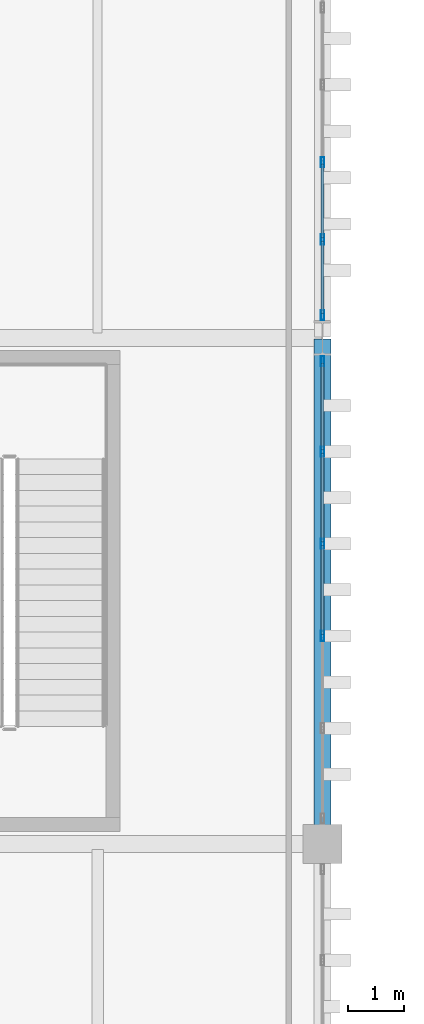
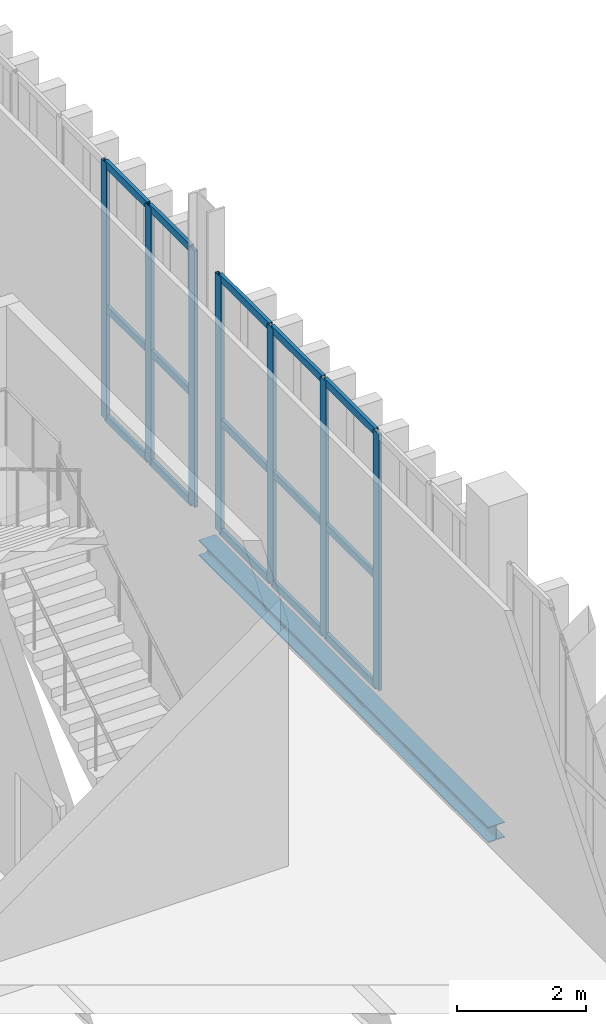
# One storey, part 162 of 237: 22 members, 1 beam, 2 elements without a shape of their own.
"""IFC4 building model written with IfcOpenShell, lengths in metres."""

from ifc_helpers import new_model, si_unit, direction, frame, origin, origin_2d, place, context, subcontext, project, spatial, hollow_rectangle, i_section, extrude, material, layer, layer_set, material_profile, profile_set, type_object, element, aggregate, save


model = new_model("IFC4")

# Units and contexts
model_context = context("Model", 3, precision=1e-05, world=origin(), true_north=direction((0.0, 1.0)))
body_context = subcontext(model_context, "Body", "Model", "MODEL_VIEW")
ifc_project = project(units=[si_unit("LENGTHUNIT", "METRE"), si_unit("AREAUNIT", "SQUARE_METRE"), si_unit("VOLUMEUNIT", "CUBIC_METRE"), si_unit("PLANEANGLEUNIT", "RADIAN"), si_unit("MASSUNIT", "GRAM", prefix="KILO")], contexts=[model_context])

# Site, building, storey
site_placement = place(None, origin())
site = spatial("IfcSite", under=ifc_project, at=site_placement, CompositionType="ELEMENT")
building_placement = place(site_placement, origin())
building = spatial("IfcBuilding", under=site, at=building_placement, Name="Barlavento Convention Centre", CompositionType="ELEMENT")
storey_placement = place(building_placement, frame((0.0, 0.0, 12.0)))
storey = spatial("IfcBuildingStorey", under=building, at=storey_placement, Name="L02", CompositionType="ELEMENT", Elevation=12.0)

# Curtain wall, members
ifc_material_1 = material(Name="Powder-coated aluminium and Low-E glass", Category="aluminium")
ifc_layer = layer(ifc_material_1, 0.195068359375)
ifc_layer_set = layer_set([ifc_layer], Name="ARC-CW-BALL-L02")
curtain_wall_type = type_object("IfcCurtainWallType", Name="ARC-CW-BALL-L02", PredefinedType="NOTDEFINED", material=ifc_layer_set)
curtain_wall_1_placement = place(storey_placement, origin())
curtain_wall_1 = element("IfcCurtainWall", 1, at=curtain_wall_1_placement, inside=storey, type_object=curtain_wall_type, Name="L02 unitised curtain wall CW07", PredefinedType="NOTDEFINED")
ifc_material_2 = material(Name="Powder-coated aluminium", Category="aluminium")
ifc_material_profile_1 = material_profile(ifc_material_2, hollow_rectangle(XDim=0.06005859375, YDim=0.179931640625, WallThickness=0.0048828125, at=origin_2d()), Name="AL-MULL 60x180x5")
ifc_profile_set_1 = profile_set([ifc_material_profile_1], Name="Powder-coated aluminium")
member_type_1 = type_object("IfcMemberType", Name="ARC-CWM-60X180", PredefinedType="MULLION", material=ifc_profile_set_1)
member_1_placement = place(storey_placement, frame((192.0, 75.699951171875, 0.0), z_axis=(0.0, 0.0, 1.0), x_axis=(-1.0, 0.0, 0.0)))
member_1 = element("IfcMember", 2, at=member_1_placement, type_object=member_type_1, Name="CW07 mullion 3", PredefinedType="MULLION", context=body_context, shape_type="SweptSolid", body=[
    extrude(hollow_rectangle(XDim=0.06005859375, YDim=0.179931640625, WallThickness=0.0048828125, at=origin_2d()), origin(), (0.0, 0.0, 1.0), 4.85009765625),
])
member_2_placement = place(storey_placement, frame((192.0, 77.340087890625, 0.0), z_axis=(0.0, 0.0, 1.0), x_axis=(-1.0, 0.0, 0.0)))
member_2 = element("IfcMember", 3, at=member_2_placement, type_object=member_type_1, Name="CW07 mullion 4", PredefinedType="MULLION", context=body_context, shape_type="SweptSolid", body=[
    extrude(hollow_rectangle(XDim=0.06005859375, YDim=0.179931640625, WallThickness=0.0048828125, at=origin_2d()), origin(), (0.0, 0.0, 1.0), 4.85009765625),
])
member_3_placement = place(storey_placement, frame((192.0, 78.97998046875, 0.0), z_axis=(0.0, 0.0, 1.0), x_axis=(-1.0, 0.0, 0.0)))
member_3 = element("IfcMember", 4, at=member_3_placement, type_object=member_type_1, Name="CW07 mullion 5", PredefinedType="MULLION", context=body_context, shape_type="SweptSolid", body=[
    extrude(hollow_rectangle(XDim=0.06005859375, YDim=0.179931640625, WallThickness=0.0048828125, at=origin_2d()), origin(), (0.0, 0.0, 1.0), 4.85009765625),
])
member_4_placement = place(storey_placement, frame((192.0, 80.590087890625, 0.0), z_axis=(0.0, 0.0, 1.0), x_axis=(-1.0, 0.0, 0.0)))
member_4 = element("IfcMember", 5, at=member_4_placement, type_object=member_type_1, Name="CW07 mullion 6", PredefinedType="MULLION", context=body_context, shape_type="SweptSolid", body=[
    extrude(hollow_rectangle(XDim=0.06005859375, YDim=0.179931640625, WallThickness=0.0048828125, at=origin_2d()), origin(), (0.0, 0.0, 1.0), 4.85009765625),
])

curtain_wall_2_placement = place(storey_placement, origin())
curtain_wall_2 = element("IfcCurtainWall", 6, at=curtain_wall_2_placement, inside=storey, type_object=curtain_wall_type, Name="L02 unitised curtain wall CW07", PredefinedType="NOTDEFINED")
member_5_placement = place(storey_placement, frame((192.0, 81.409912109375, 0.0), z_axis=(0.0, 0.0, 1.0), x_axis=(-1.0, 0.0, 0.0)))
member_5 = element("IfcMember", 7, at=member_5_placement, type_object=member_type_1, Name="CW07 mullion 1", PredefinedType="MULLION", context=body_context, shape_type="SweptSolid", body=[
    extrude(hollow_rectangle(XDim=0.06005859375, YDim=0.179931640625, WallThickness=0.0048828125, at=origin_2d()), origin(), (0.0, 0.0, 1.0), 4.85009765625),
])
member_6_placement = place(storey_placement, frame((192.0, 82.7548828125, 0.0), z_axis=(0.0, 0.0, 1.0), x_axis=(-1.0, 0.0, 0.0)))
member_6 = element("IfcMember", 8, at=member_6_placement, type_object=member_type_1, Name="CW07 mullion 2", PredefinedType="MULLION", context=body_context, shape_type="SweptSolid", body=[
    extrude(hollow_rectangle(XDim=0.06005859375, YDim=0.179931640625, WallThickness=0.0048828125, at=origin_2d()), origin(), (0.0, 0.0, 1.0), 4.85009765625),
])
member_7_placement = place(storey_placement, frame((192.0, 84.1298828125, 0.0), z_axis=(0.0, 0.0, 1.0), x_axis=(-1.0, 0.0, 0.0)))
member_7 = element("IfcMember", 9, at=member_7_placement, type_object=member_type_1, Name="CW07 mullion 3", PredefinedType="MULLION", context=body_context, shape_type="SweptSolid", body=[
    extrude(hollow_rectangle(XDim=0.06005859375, YDim=0.179931640625, WallThickness=0.0048828125, at=origin_2d()), origin(), (0.0, 0.0, 1.0), 4.85009765625),
])

# Member
ifc_material_profile_2 = material_profile(ifc_material_2, hollow_rectangle(XDim=0.06005859375, YDim=0.139892578125, WallThickness=0.00390625, at=origin_2d()), Name="AL-TRAN 60x140x4")
ifc_profile_set_2 = profile_set([ifc_material_profile_2], Name="Powder-coated aluminium")
member_type_2 = type_object("IfcMemberType", Name="ARC-CWT-60X140", PredefinedType="USERDEFINED", material=ifc_profile_set_2)
member_8_placement = place(storey_placement, frame((192.0, 75.72998046875, 0.030029296875), z_axis=(0.0, 1.0, 0.0), x_axis=(-1.0, 0.0, 0.0)))
member_8 = element("IfcMember", 10, at=member_8_placement, type_object=member_type_2, Name="CW07 transom 3.1", ObjectType="TRANSOM", PredefinedType="USERDEFINED", context=body_context, shape_type="SweptSolid", body=[
    extrude(hollow_rectangle(XDim=0.06005859375, YDim=0.139892578125, WallThickness=0.00390625, at=origin_2d()), origin(), (0.0, 0.0, 1.0), 1.580078125),
])

member_9_placement = place(storey_placement, frame((192.0, 75.72998046875, 2.10009765625), z_axis=(0.0, 1.0, 0.0), x_axis=(-1.0, 0.0, 0.0)))
member_9 = element("IfcMember", 11, at=member_9_placement, type_object=member_type_2, Name="CW07 transom 3.2", ObjectType="TRANSOM", PredefinedType="USERDEFINED", context=body_context, shape_type="SweptSolid", body=[
    extrude(hollow_rectangle(XDim=0.06005859375, YDim=0.139892578125, WallThickness=0.00390625, at=origin_2d()), origin(), (0.0, 0.0, 1.0), 1.580078125),
])

member_10_placement = place(storey_placement, frame((192.0, 75.72998046875, 4.820068359375), z_axis=(0.0, 1.0, 0.0), x_axis=(-1.0, 0.0, 0.0)))
member_10 = element("IfcMember", 12, at=member_10_placement, type_object=member_type_2, Name="CW07 transom 3.3", ObjectType="TRANSOM", PredefinedType="USERDEFINED", context=body_context, shape_type="SweptSolid", body=[
    extrude(hollow_rectangle(XDim=0.06005859375, YDim=0.139892578125, WallThickness=0.00390625, at=origin_2d()), origin(), (0.0, 0.0, 1.0), 1.580078125),
])

member_11_placement = place(storey_placement, frame((192.0, 77.3701171875, 0.030029296875), z_axis=(0.0, 1.0, 0.0), x_axis=(-1.0, 0.0, 0.0)))
member_11 = element("IfcMember", 13, at=member_11_placement, type_object=member_type_2, Name="CW07 transom 4.1", ObjectType="TRANSOM", PredefinedType="USERDEFINED", context=body_context, shape_type="SweptSolid", body=[
    extrude(hollow_rectangle(XDim=0.06005859375, YDim=0.139892578125, WallThickness=0.00390625, at=origin_2d()), origin(), (0.0, 0.0, 1.0), 1.579833984375),
])

member_12_placement = place(storey_placement, frame((192.0, 77.3701171875, 2.10009765625), z_axis=(0.0, 1.0, 0.0), x_axis=(-1.0, 0.0, 0.0)))
member_12 = element("IfcMember", 14, at=member_12_placement, type_object=member_type_2, Name="CW07 transom 4.2", ObjectType="TRANSOM", PredefinedType="USERDEFINED", context=body_context, shape_type="SweptSolid", body=[
    extrude(hollow_rectangle(XDim=0.06005859375, YDim=0.139892578125, WallThickness=0.00390625, at=origin_2d()), origin(), (0.0, 0.0, 1.0), 1.579833984375),
])

member_13_placement = place(storey_placement, frame((192.0, 77.3701171875, 4.820068359375), z_axis=(0.0, 1.0, 0.0), x_axis=(-1.0, 0.0, 0.0)))
member_13 = element("IfcMember", 15, at=member_13_placement, type_object=member_type_2, Name="CW07 transom 4.3", ObjectType="TRANSOM", PredefinedType="USERDEFINED", context=body_context, shape_type="SweptSolid", body=[
    extrude(hollow_rectangle(XDim=0.06005859375, YDim=0.139892578125, WallThickness=0.00390625, at=origin_2d()), origin(), (0.0, 0.0, 1.0), 1.579833984375),
])

member_14_placement = place(storey_placement, frame((192.0, 79.010009765625, 0.030029296875), z_axis=(0.0, 1.0, 0.0), x_axis=(-1.0, 0.0, 0.0)))
member_14 = element("IfcMember", 16, at=member_14_placement, type_object=member_type_2, Name="CW07 transom 5.1", ObjectType="TRANSOM", PredefinedType="USERDEFINED", context=body_context, shape_type="SweptSolid", body=[
    extrude(hollow_rectangle(XDim=0.06005859375, YDim=0.139892578125, WallThickness=0.00390625, at=origin_2d()), origin(), (0.0, 0.0, 1.0), 1.550048828125),
])

member_15_placement = place(storey_placement, frame((192.0, 79.010009765625, 2.10009765625), z_axis=(0.0, 1.0, 0.0), x_axis=(-1.0, 0.0, 0.0)))
member_15 = element("IfcMember", 17, at=member_15_placement, type_object=member_type_2, Name="CW07 transom 5.2", ObjectType="TRANSOM", PredefinedType="USERDEFINED", context=body_context, shape_type="SweptSolid", body=[
    extrude(hollow_rectangle(XDim=0.06005859375, YDim=0.139892578125, WallThickness=0.00390625, at=origin_2d()), origin(), (0.0, 0.0, 1.0), 1.550048828125),
])

member_16_placement = place(storey_placement, frame((192.0, 79.010009765625, 4.820068359375), z_axis=(0.0, 1.0, 0.0), x_axis=(-1.0, 0.0, 0.0)))
member_16 = element("IfcMember", 18, at=member_16_placement, type_object=member_type_2, Name="CW07 transom 5.3", ObjectType="TRANSOM", PredefinedType="USERDEFINED", context=body_context, shape_type="SweptSolid", body=[
    extrude(hollow_rectangle(XDim=0.06005859375, YDim=0.139892578125, WallThickness=0.00390625, at=origin_2d()), origin(), (0.0, 0.0, 1.0), 1.550048828125),
])

aggregate(curtain_wall_1, [member_1, member_2, member_3, member_4, member_8, member_9, member_10, member_11, member_12, member_13, member_14, member_15, member_16])

member_17_placement = place(storey_placement, frame((192.0, 81.43994140625, 0.030029296875), z_axis=(0.0, 1.0, 0.0), x_axis=(-1.0, 0.0, 0.0)))
member_17 = element("IfcMember", 19, at=member_17_placement, type_object=member_type_2, Name="CW07 transom 1.1", ObjectType="TRANSOM", PredefinedType="USERDEFINED", context=body_context, shape_type="SweptSolid", body=[
    extrude(hollow_rectangle(XDim=0.06005859375, YDim=0.139892578125, WallThickness=0.00390625, at=origin_2d()), origin(), (0.0, 0.0, 1.0), 1.28515625),
])

member_18_placement = place(storey_placement, frame((192.0, 81.43994140625, 2.10009765625), z_axis=(0.0, 1.0, 0.0), x_axis=(-1.0, 0.0, 0.0)))
member_18 = element("IfcMember", 20, at=member_18_placement, type_object=member_type_2, Name="CW07 transom 1.2", ObjectType="TRANSOM", PredefinedType="USERDEFINED", context=body_context, shape_type="SweptSolid", body=[
    extrude(hollow_rectangle(XDim=0.06005859375, YDim=0.139892578125, WallThickness=0.00390625, at=origin_2d()), origin(), (0.0, 0.0, 1.0), 1.28515625),
])

member_19_placement = place(storey_placement, frame((192.0, 81.43994140625, 4.820068359375), z_axis=(0.0, 1.0, 0.0), x_axis=(-1.0, 0.0, 0.0)))
member_19 = element("IfcMember", 21, at=member_19_placement, type_object=member_type_2, Name="CW07 transom 1.3", ObjectType="TRANSOM", PredefinedType="USERDEFINED", context=body_context, shape_type="SweptSolid", body=[
    extrude(hollow_rectangle(XDim=0.06005859375, YDim=0.139892578125, WallThickness=0.00390625, at=origin_2d()), origin(), (0.0, 0.0, 1.0), 1.28515625),
])

member_20_placement = place(storey_placement, frame((192.0, 82.784912109375, 0.030029296875), z_axis=(0.0, 1.0, 0.0), x_axis=(-1.0, 0.0, 0.0)))
member_20 = element("IfcMember", 22, at=member_20_placement, type_object=member_type_2, Name="CW07 transom 2.1", ObjectType="TRANSOM", PredefinedType="USERDEFINED", context=body_context, shape_type="SweptSolid", body=[
    extrude(hollow_rectangle(XDim=0.06005859375, YDim=0.139892578125, WallThickness=0.00390625, at=origin_2d()), origin(), (0.0, 0.0, 1.0), 1.315185546875),
])

member_21_placement = place(storey_placement, frame((192.0, 82.784912109375, 2.10009765625), z_axis=(0.0, 1.0, 0.0), x_axis=(-1.0, 0.0, 0.0)))
member_21 = element("IfcMember", 23, at=member_21_placement, type_object=member_type_2, Name="CW07 transom 2.2", ObjectType="TRANSOM", PredefinedType="USERDEFINED", context=body_context, shape_type="SweptSolid", body=[
    extrude(hollow_rectangle(XDim=0.06005859375, YDim=0.139892578125, WallThickness=0.00390625, at=origin_2d()), origin(), (0.0, 0.0, 1.0), 1.315185546875),
])

member_22_placement = place(storey_placement, frame((192.0, 82.784912109375, 4.820068359375), z_axis=(0.0, 1.0, 0.0), x_axis=(-1.0, 0.0, 0.0)))
member_22 = element("IfcMember", 24, at=member_22_placement, type_object=member_type_2, Name="CW07 transom 2.3", ObjectType="TRANSOM", PredefinedType="USERDEFINED", context=body_context, shape_type="SweptSolid", body=[
    extrude(hollow_rectangle(XDim=0.06005859375, YDim=0.139892578125, WallThickness=0.00390625, at=origin_2d()), origin(), (0.0, 0.0, 1.0), 1.315185546875),
])

aggregate(curtain_wall_2, [member_5, member_6, member_7, member_17, member_18, member_19, member_20, member_21, member_22])

# Beam
ifc_material_3 = material(Name="Steel S355", Category="steel")
ifc_material_profile_3 = material_profile(ifc_material_3, i_section(OverallWidth=0.300048828125, OverallDepth=0.2900390625, WebThickness=0.008544921875, FlangeThickness=0.013916015625, FilletRadius=0.027099609375, at=origin_2d()), Name="HEA 300")
ifc_profile_set_3 = profile_set([ifc_material_profile_3], Name="Steel S355")
beam_type = type_object("IfcBeamType", Name="STR-BM-SPN-HEA300", PredefinedType="SPANDREL", material=ifc_profile_set_3)
beam_placement = place(storey_placement, frame((192.0, 72.02001953125, -0.5048828125), z_axis=(0.0, 1.0, 0.0), x_axis=(-1.0, 0.0, 0.0)))
element("IfcBeam", 25, at=beam_placement, inside=storey, type_object=beam_type, Name="L02 grid girder SP02", PredefinedType="SPANDREL", context=body_context, shape_type="SweptSolid", body=[
    extrude(i_section(OverallWidth=0.300048828125, OverallDepth=0.2900390625, WebThickness=0.008544921875, FlangeThickness=0.013916015625, FilletRadius=0.027099609375, at=origin_2d()), origin(), (0.0, 0.0, 1.0), 8.9599609375),
])

save(model, "model.ifc")
